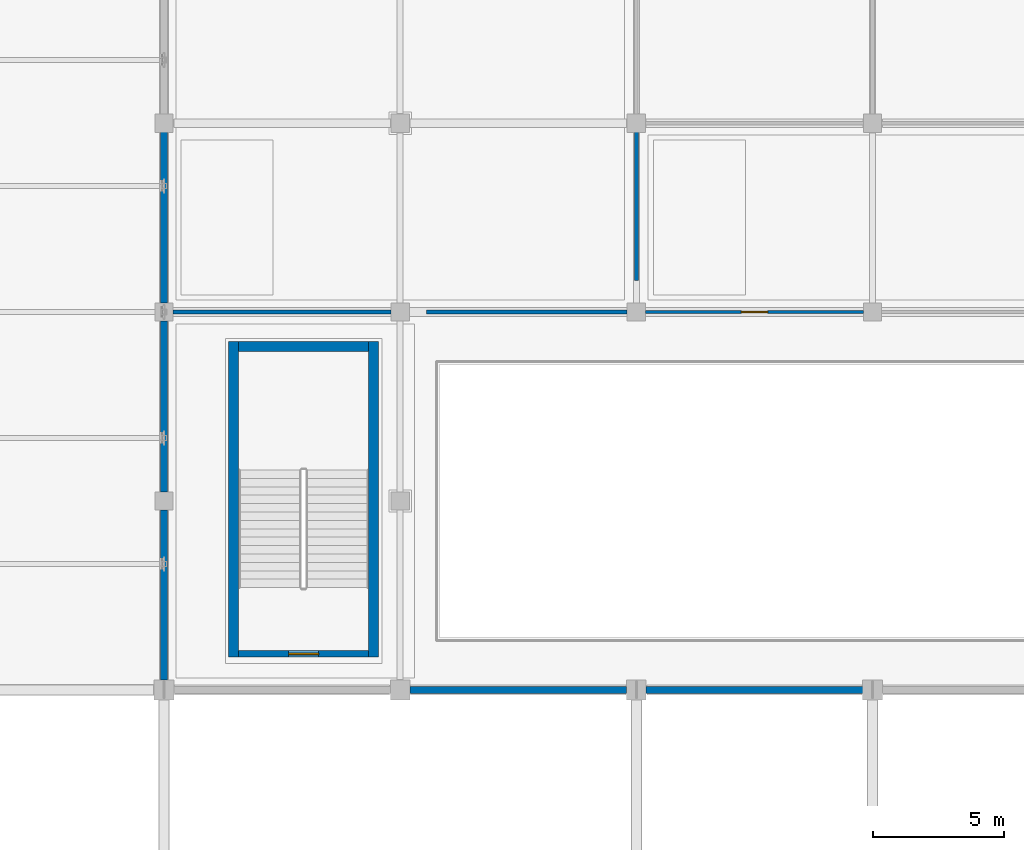
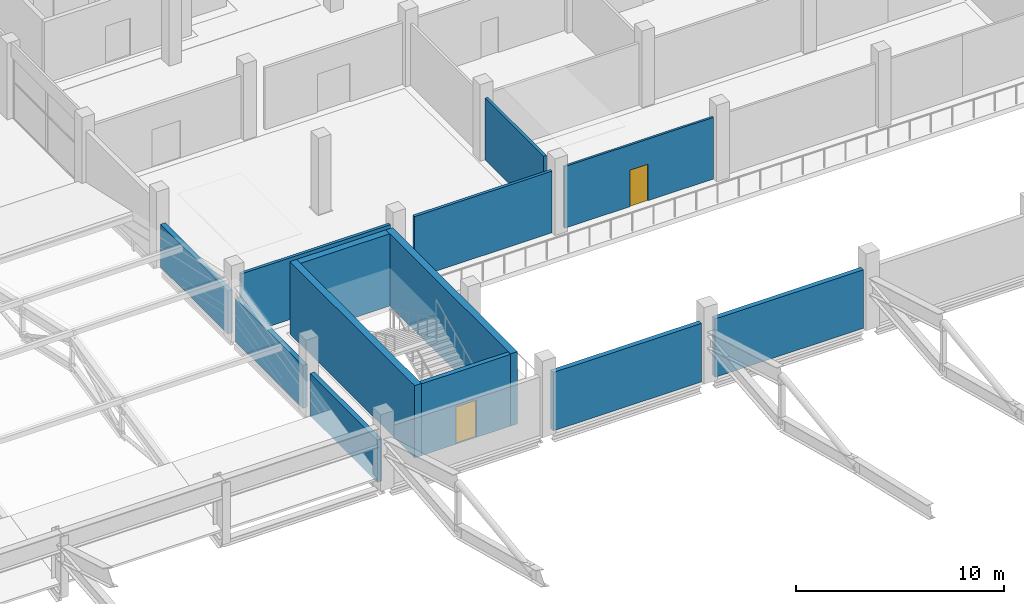
# One storey, part 110 of 151: 13 walls, 2 doors, 2 openings.
"""IFC4 building model written with IfcOpenShell, lengths in metres."""

from ifc_helpers import new_model, si_unit, direction, frame, frame_2d, origin, place, context, subcontext, project, spatial, rectangle, extrude, material, layer, layer_set, type_object, element, fill, save


model = new_model("IFC4")

# Units and contexts
model_context = context("Model", 3, precision=1e-05, world=origin(), true_north=direction((0.0, 1.0)))
body_context = subcontext(model_context, "Body", "Model", "MODEL_VIEW")
ifc_project = project(units=[si_unit("LENGTHUNIT", "METRE"), si_unit("AREAUNIT", "SQUARE_METRE"), si_unit("VOLUMEUNIT", "CUBIC_METRE"), si_unit("PLANEANGLEUNIT", "RADIAN"), si_unit("MASSUNIT", "GRAM", prefix="KILO")], contexts=[model_context])

# Site, building, storey
site_placement = place(None, origin())
site = spatial("IfcSite", under=ifc_project, at=site_placement, CompositionType="ELEMENT")
building_placement = place(site_placement, origin())
building = spatial("IfcBuilding", under=site, at=building_placement, Name="Celestram Park Convention Centre", CompositionType="ELEMENT")
storey_placement = place(building_placement, frame((0.0, 0.0, 10.800048828125)))
storey = spatial("IfcBuildingStorey", under=building, at=storey_placement, Name="L02", CompositionType="ELEMENT", Elevation=10.800048828125)

# Wall, opening, door
ifc_material_1 = material(Name="Concrete Block Masonry C25/30", Category="masonry")
ifc_layer_1 = layer(ifc_material_1, 0.25)
ifc_layer_set_1 = layer_set([ifc_layer_1], Name="Concrete Block Masonry C25/30")
wall_type_1 = type_object("IfcWallType", Name="ARC-WL-COR250", PredefinedType="STANDARD", material=ifc_layer_set_1)
wall_1_placement = place(storey_placement, frame((38.840087890625, 109.375, 0.0), z_axis=(0.0, 0.0, 1.0), x_axis=(1.0, 0.0, 0.0)))
wall_1 = element("IfcWall", 1, at=wall_1_placement, inside=storey, type_object=wall_type_1, Name="Core S13 stair entrance wall", PredefinedType="STANDARD", context=body_context, shape_type="SweptSolid", body=[
    extrude(rectangle(XDim=4.9599609375, YDim=0.25, at=frame_2d((2.47998046875, 0.0))), origin(), (0.0, 0.0, 1.0), 4.219970703125),
])
opening_1_placement = place(wall_1_placement, frame((1.905029296875, 0.0, 0.0)))
opening_1 = element("IfcOpeningElement", 2, at=opening_1_placement, cuts=wall_1, Name="Opening D-ST1", PredefinedType="OPENING", context=body_context, shape_type="SweptSolid", body=[
    extrude(rectangle(XDim=1.14990234375, YDim=2.199951171875, at=frame_2d((0.574951171875, 1.10009765625))), frame((0.0, 0.135009765625, 0.0), z_axis=(0.0, -1.0, 0.0), x_axis=(1.0, 0.0, 0.0)), (0.0, 0.0, 1.0), 0.27001953125),
])
ifc_material_2 = material(Name="Fire-Rated Hollow Metal Steel ASTM A653", Category="steel")
door_type_1 = type_object("IfcDoorType", Name="ARC-DR-ST115", OperationType="NOTDEFINED", PredefinedType="DOOR", material=ifc_material_2)
door_1_placement = place(opening_1_placement, origin())
door_1 = element("IfcDoor", 3, at=door_1_placement, inside=storey, type_object=door_type_1, Name="Exit stair ST-13 fire door", OperationType="SINGLE_SWING_RIGHT", OverallHeight=2.199951171875, OverallWidth=1.14990234375, PredefinedType="DOOR", context=body_context, shape_type="SweptSolid", body=[
    extrude(rectangle(XDim=1.14990234375, YDim=2.199951171875, at=frame_2d((0.574951171875, 1.10009765625))), frame((0.0, 0.02490234375, 0.0), z_axis=(0.0, -1.0, 0.0), x_axis=(1.0, 0.0, 0.0)), (0.0, 0.0, 1.0), 0.050048828125),
])
fill(opening_1, door_1)

# Walls
ifc_material_3 = material(Name="Precast Concrete C40/50", Category="concrete")
ifc_layer_2 = layer(ifc_material_3, 0.260009765625)
ifc_layer_set_2 = layer_set([ifc_layer_2], Name="Precast Concrete C40/50")
wall_type_2 = type_object("IfcWallType", Name="ARC-WL-EXT260", PredefinedType="STANDARD", material=ifc_layer_set_2)
for number, where, z_axis, x_axis, name in (
    (4, (62.626953125, 108.0, 0.0), (0.0, 0.0, 1.0), (-1.0, 0.0, 0.0), "Acoustic hall overlook wall WL-L02-EW155"),
    (5, (53.626953125, 108.0, 0.0), (0.0, 0.0, 1.0), (-1.0, 0.0, 0.0), "Acoustic hall overlook wall WL-L02-EW156"),
):
    element("IfcWall", number, at=place(storey_placement, frame(where, z_axis=z_axis, x_axis=x_axis)), inside=storey, type_object=wall_type_2, Name=name, PredefinedType="STANDARD", context=body_context, shape_type="SweptSolid", body=[
        extrude(rectangle(XDim=8.25390625, YDim=0.260009765625, at=frame_2d((4.126953125, 0.0))), origin(), (0.0, 0.0, 1.0), 3.43994140625),
    ])
wall_2_placement = place(storey_placement, frame((36.0, 108.373046875, 0.0), z_axis=(0.0, 0.0, 1.0), x_axis=(0.0, 1.0, 0.0)))
element("IfcWall", 6, at=wall_2_placement, inside=storey, type_object=wall_type_2, Name="Acoustic hall overlook wall WL-L02-EW158", PredefinedType="STANDARD", context=body_context, shape_type="SweptSolid", body=[
    extrude(rectangle(XDim=6.47900390625, YDim=0.260009765625, at=frame_2d((3.239501953125, 0.0))), origin(), (0.0, 0.0, 1.0), 2.48193359375),
])
for number, where, z_axis, x_axis, name in (
    (7, (36.0, 115.548095703125, 0.0), (0.0, 0.0, 1.0), (0.0, 1.0, 0.0), "Acoustic hall overlook wall WL-L02-EW159"),
    (8, (36.0, 122.748046875, 0.0), (0.0, 0.0, 1.0), (0.0, 1.0, 0.0), "Acoustic hall overlook wall WL-L02-EW160"),
):
    element("IfcWall", number, at=place(storey_placement, frame(where, z_axis=z_axis, x_axis=x_axis)), inside=storey, type_object=wall_type_2, Name=name, PredefinedType="STANDARD", context=body_context, shape_type="SweptSolid", body=[
        extrude(rectangle(XDim=6.50390625, YDim=0.260009765625, at=frame_2d((3.251953125, 0.0))), origin(), (0.0, 0.0, 1.0), 2.523193359375),
    ])

# Wall, opening, door
ifc_material_4 = material(Name="Standard Gypsum & Steel Stud 120 mm", Category="steel")
ifc_layer_3 = layer(ifc_material_4, 0.1201171875)
ifc_layer_set_3 = layer_set([ifc_layer_3], Name="Standard Gypsum & Steel Stud 120 mm")
wall_type_3 = type_object("IfcWallType", Name="ARC-WL-PRT120", PredefinedType="PARTITIONING", material=ifc_layer_set_3)
wall_3_placement = place(storey_placement, frame((54.347900390625, 122.39990234375, 0.0), z_axis=(0.0, 0.0, 1.0), x_axis=(1.0, 0.0, 0.0)))
wall_3 = element("IfcWall", 9, at=wall_3_placement, inside=storey, type_object=wall_type_3, Name="Interior partition WL-L02-IN0797", PredefinedType="PARTITIONING", context=body_context, shape_type="SweptSolid", body=[
    extrude(rectangle(XDim=8.30419921875, YDim=0.1201171875, at=frame_2d((4.152099609375, 0.0))), origin(), (0.0, 0.0, 1.0), 3.6279296875),
])
opening_2_placement = place(wall_3_placement, frame((3.652099609375, 0.0, 0.0)))
opening_2 = element("IfcOpeningElement", 10, at=opening_2_placement, cuts=wall_3, Name="Opening D-07", PredefinedType="OPENING", context=body_context, shape_type="SweptSolid", body=[
    extrude(rectangle(XDim=1.0, YDim=2.14990234375, at=frame_2d((0.5, 1.074951171875))), frame((0.0, 0.070068359375, 0.0), z_axis=(0.0, -1.0, 0.0), x_axis=(1.0, 0.0, 0.0)), (0.0, 0.0, 1.0), 0.14013671875),
])
ifc_material_5 = material(Name="Solid Core White Oak Single Door", Category="wood")
door_type_2 = type_object("IfcDoorType", Name="ARC-DR-RM100", OperationType="NOTDEFINED", PredefinedType="DOOR", material=ifc_material_5)
door_2_placement = place(opening_2_placement, origin())
door_2 = element("IfcDoor", 11, at=door_2_placement, inside=storey, type_object=door_type_2, Name="Concourse Delegate Lounge L02 entrance door", OperationType="SINGLE_SWING_LEFT", OverallHeight=2.14990234375, OverallWidth=1.0, PredefinedType="DOOR", context=body_context, shape_type="SweptSolid", body=[
    extrude(rectangle(XDim=1.0, YDim=2.14990234375, at=frame_2d((0.5, 1.074951171875))), frame((0.0, 0.02490234375, 0.0), z_axis=(0.0, -1.0, 0.0), x_axis=(1.0, 0.0, 0.0)), (0.0, 0.0, 1.0), 0.050048828125),
])
fill(opening_2, door_2)

# Walls
ifc_material_6 = material(Name="Acoustic Gypsum & Steel Stud 160 mm", Category="steel")
ifc_layer_4 = layer(ifc_material_6, 0.159912109375)
ifc_layer_set_4 = layer_set([ifc_layer_4], Name="Acoustic Gypsum & Steel Stud 160 mm")
wall_type_4 = type_object("IfcWallType", Name="ARC-WL-PRT160", PredefinedType="PARTITIONING", material=ifc_layer_set_4)
wall_4_placement = place(storey_placement, frame((36.347900390625, 122.39990234375, 0.0), z_axis=(0.0, 0.0, 1.0), x_axis=(1.0, 0.0, 0.0)))
element("IfcWall", 12, at=wall_4_placement, inside=storey, type_object=wall_type_4, Name="Interior partition WL-L02-IN0795", PredefinedType="PARTITIONING", context=body_context, shape_type="SweptSolid", body=[
    extrude(rectangle(XDim=8.30419921875, YDim=0.159912109375, at=frame_2d((4.152099609375, 0.0))), origin(), (0.0, 0.0, 1.0), 3.6279296875),
])
wall_5_placement = place(storey_placement, frame((46.0, 122.39990234375, 0.0), z_axis=(0.0, 0.0, 1.0), x_axis=(1.0, 0.0, 0.0)))
element("IfcWall", 13, at=wall_5_placement, inside=storey, type_object=wall_type_4, Name="Interior partition WL-L02-IN0796", PredefinedType="PARTITIONING", context=body_context, shape_type="SweptSolid", body=[
    extrude(rectangle(XDim=7.652099609375, YDim=0.159912109375, at=frame_2d((3.826171875, 0.0))), origin(), (0.0, 0.0, 1.0), 3.6279296875),
])
wall_6_placement = place(storey_placement, frame((54.0, 123.60009765625, 0.0), z_axis=(0.0, 0.0, 1.0), x_axis=(0.0, 1.0, 0.0)))
element("IfcWall", 14, at=wall_6_placement, inside=storey, type_object=wall_type_4, Name="Interior partition WL-L02-IN0833", PredefinedType="PARTITIONING", context=body_context, shape_type="SweptSolid", body=[
    extrude(rectangle(XDim=5.65185546875, YDim=0.159912109375, at=frame_2d((2.825927734375, 0.0))), origin(), (0.0, 0.0, 1.0), 3.6279296875),
])
ifc_material_7 = material(Name="Concrete C40/50", Category="concrete")
ifc_layer_5 = layer(ifc_material_7, 0.3798828125)
ifc_layer_set_5 = layer_set([ifc_layer_5], Name="Concrete C40/50")
wall_type_5 = type_object("IfcWallType", Name="STR-WL-SHR380", PredefinedType="SHEAR", material=ifc_layer_set_5)
for number, where, z_axis, x_axis, name in (
    (15, (38.64990234375, 109.25, 0.0), (0.0, 0.0, 1.0), (0.0, 1.0, 0.0), "Core S13 shear wall L"),
    (16, (43.989990234375, 121.280029296875, 0.0), (0.0, 0.0, 1.0), (0.0, -1.0, 0.0), "Core S13 shear wall R"),
):
    element("IfcWall", number, at=place(storey_placement, frame(where, z_axis=z_axis, x_axis=x_axis)), inside=storey, type_object=wall_type_5, Name=name, PredefinedType="SHEAR", context=body_context, shape_type="SweptSolid", body=[
        extrude(rectangle(XDim=12.030029296875, YDim=0.3798828125, at=frame_2d((6.01513671875, 0.0))), origin(), (0.0, 0.0, 1.0), 4.25),
    ])
wall_7_placement = place(storey_placement, frame((38.840087890625, 121.090087890625, 0.0), z_axis=(0.0, 0.0, 1.0), x_axis=(1.0, 0.0, 0.0)))
element("IfcWall", 17, at=wall_7_placement, inside=storey, type_object=wall_type_5, Name="Core S13 shear wall F", PredefinedType="SHEAR", context=body_context, shape_type="SweptSolid", body=[
    extrude(rectangle(XDim=4.9599609375, YDim=0.3798828125, at=frame_2d((2.47998046875, 0.0))), origin(), (0.0, 0.0, 1.0), 4.25),
])

save(model, "model.ifc")
